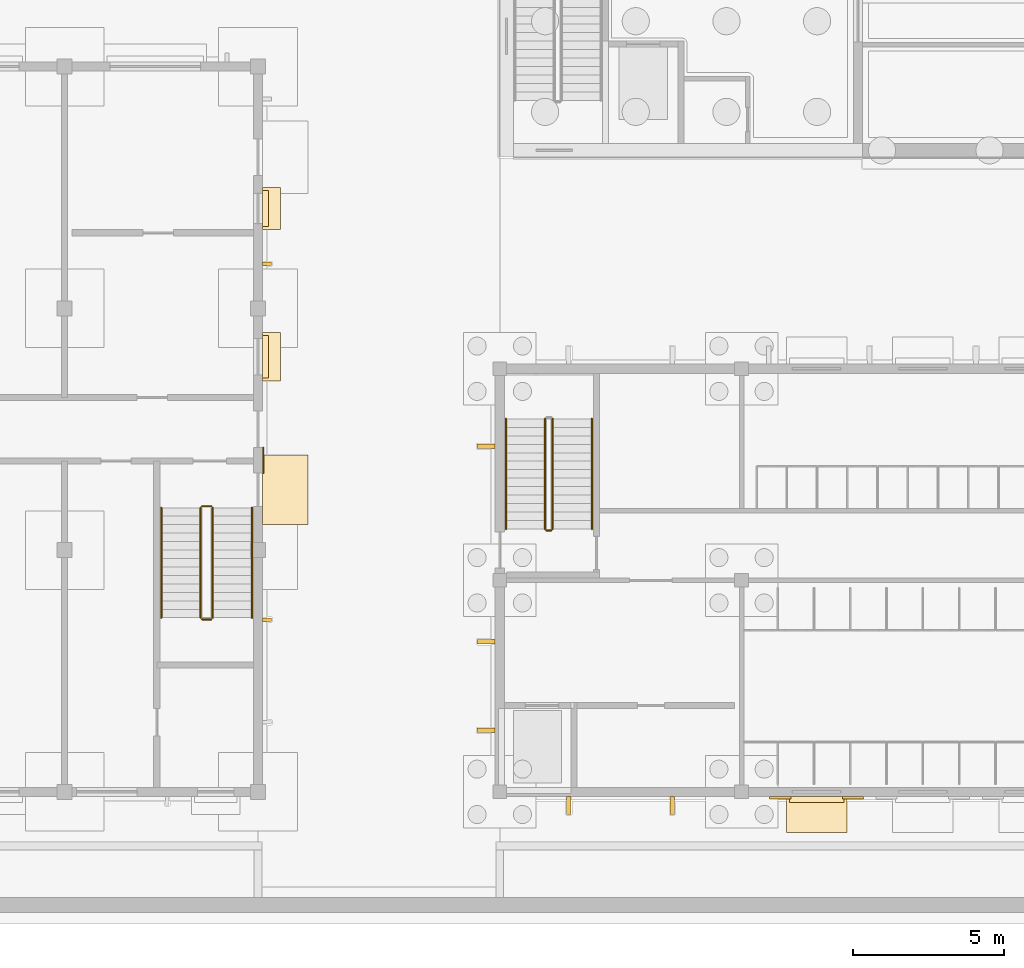
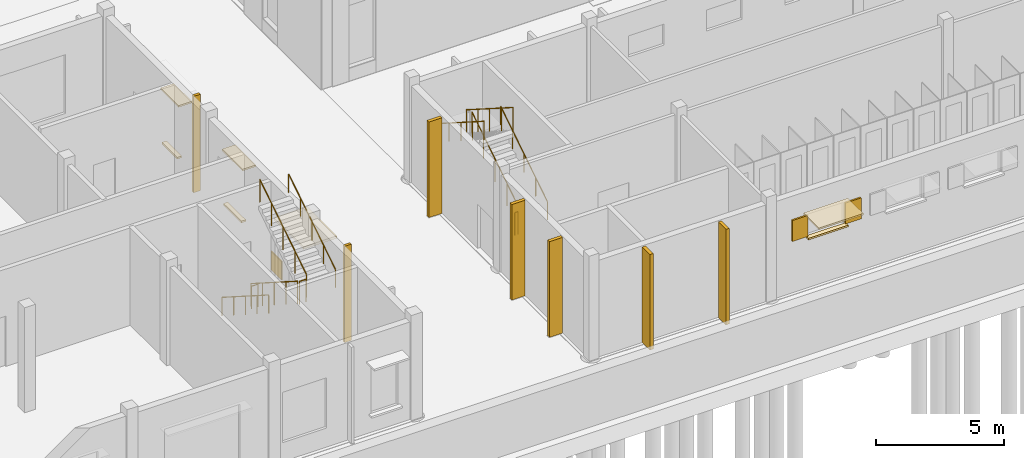
# One storey, part 123 of 157: 11 railings, 9 shading devices, 8 coverings.
"""IFC4 building model written with IfcOpenShell, lengths in metres."""

import ifcopenshell
import ifcopenshell.guid

model = None  # the IFC model being written
_history = None  # IfcOwnerHistory: only IFC2X3 demands one
_inside = {}  # id of a spatial element -> (the spatial element, [elements in it])
_under = {}  # id of a project, library or spatial element -> (it, [spatial elements below it])
_declared = {}  # id of a project -> (the project, [libraries it declares])
_typed = {}  # id of a type object -> (the type object, [elements of that type])
_made_of = {}  # id of a material, layer set ... -> (it, [elements and type objects made of it])


def new_model(schema):
    """Start an empty IFC model of exactly this schema.

    Asked for "IFC4X3", IfcOpenShell would pick the latest addendum, in which some entities
    have other attributes; the version numbers below select the first issue.
    IFC2X3 requires an IfcOwnerHistory on every rooted entity: one is made here for all.
    """
    global model, _history
    if schema == "IFC4X3":
        model = ifcopenshell.file(schema_version=(4, 3, 0, 0))
    else:
        model = ifcopenshell.file(schema=schema)
    _inside.clear()
    _under.clear()
    _declared.clear()
    _typed.clear()
    _made_of.clear()
    _history = None
    if model.schema == "IFC2X3":
        org = make("IfcOrganization", Name="unknown")
        user = make(
            "IfcPersonAndOrganization",
            ThePerson=make("IfcPerson", FamilyName="unknown"),
            TheOrganization=org,
        )
        app = make(
            "IfcApplication",
            ApplicationDeveloper=org,
            Version="unknown",
            ApplicationFullName="unknown",
            ApplicationIdentifier="unknown",
        )
        _history = make(
            "IfcOwnerHistory",
            OwningUser=user,
            OwningApplication=app,
            ChangeAction="ADDED",
            CreationDate=0,
        )
    return model


def make(cls, **values):
    """One entity of the class cls with the attributes given. An attribute that is None is left unset."""
    return model.create_entity(
        cls, **{name: value for name, value in values.items() if value is not None}
    )


def rooted(cls, **values):
    """An entity with a GlobalId (a new one), such as an element, a storey or a relation."""
    return make(cls, GlobalId=ifcopenshell.guid.new(), OwnerHistory=_history, **values)


def si_unit(unit_type, name, prefix=None):
    """IfcSIUnit, for example si_unit("LENGTHUNIT", "METRE", prefix="MILLI")."""
    return make("IfcSIUnit", UnitType=unit_type, Prefix=prefix, Name=name)


def assignment(units):
    """IfcUnitAssignment: the units of a project."""
    return None if units is None else make("IfcUnitAssignment", Units=units)


def point(xyz):
    """IfcCartesianPoint."""
    return None if xyz is None else make("IfcCartesianPoint", Coordinates=xyz)


def direction(xyz):
    """IfcDirection."""
    return None if xyz is None else make("IfcDirection", DirectionRatios=xyz)


def frame(location, z_axis=None, x_axis=None):
    """IfcAxis2Placement3D, a coordinate frame: its origin and axes. An axis left out is left unset."""
    return make(
        "IfcAxis2Placement3D",
        Location=point(location),
        Axis=direction(z_axis),
        RefDirection=direction(x_axis),
    )


def frame_2d(location, x_axis=None):
    """IfcAxis2Placement2D, a coordinate frame in the plane: its origin and x axis."""
    return make(
        "IfcAxis2Placement2D", Location=point(location), RefDirection=direction(x_axis)
    )


def origin():
    """The frame at (0, 0, 0) with its axes left unset."""
    return frame((0.0, 0.0, 0.0))


def origin_2d():
    """The frame at (0, 0) in the plane with its x axis left unset."""
    return frame_2d((0.0, 0.0))


def place(relative_to, where):
    """IfcLocalPlacement: puts the frame where relative to a parent placement (None: the world)."""
    return make(
        "IfcLocalPlacement", PlacementRelTo=relative_to, RelativePlacement=where
    )


def context(
    kind, dimensions, precision=None, world=None, true_north=None, identifier=None
):
    """IfcGeometricRepresentationContext, for example the 3D "Model" context."""
    return make(
        "IfcGeometricRepresentationContext",
        ContextIdentifier=identifier,
        ContextType=kind,
        CoordinateSpaceDimension=dimensions,
        Precision=precision,
        WorldCoordinateSystem=world,
        TrueNorth=true_north,
    )


def subcontext(parent, identifier, kind, view, scale=None):
    """IfcGeometricRepresentationSubContext, for example "Body" below "Model"."""
    return make(
        "IfcGeometricRepresentationSubContext",
        ContextIdentifier=identifier,
        ContextType=kind,
        ParentContext=parent,
        TargetScale=scale,
        TargetView=view,
    )


def project(units=None, contexts=None):
    """IfcProject with its units and contexts."""
    return rooted(
        "IfcProject",
        Name="project",
        RepresentationContexts=contexts,
        UnitsInContext=assignment(units),
    )


def spatial(cls, under=None, at=None, **own):
    """A site, building, storey or space (cls), placed at a placement, below another one or the project."""
    s = rooted(cls, ObjectPlacement=at, **own)
    if under is not None:
        _under.setdefault(under.id(), (under, []))[1].append(s)
    return s


def polyline(points):
    """IfcPolyline through the points."""
    return make("IfcPolyline", Points=[point(p) for p in points])


def profile(cls, at=None, kind="AREA", **sizes):
    """A parametric profile (cls). Its sizes go by their IFC names, for example OverallWidth=200.0."""
    return make(cls, ProfileType=kind, Position=at, **sizes)


def circle(**sizes):
    """IfcCircleProfileDef."""
    return profile("IfcCircleProfileDef", **sizes)


def outline(outer, holes=None, kind="AREA"):
    """IfcArbitraryClosedProfileDef: a profile drawn as a closed curve; with holes, ...WithVoids."""
    if holes is None:
        return make("IfcArbitraryClosedProfileDef", ProfileType=kind, OuterCurve=outer)
    return make(
        "IfcArbitraryProfileDefWithVoids",
        ProfileType=kind,
        OuterCurve=outer,
        InnerCurves=holes,
    )


def extrude(swept, where, along, depth):
    """IfcExtrudedAreaSolid: the profile swept, set in the frame where, extruded along a direction by depth."""
    return make(
        "IfcExtrudedAreaSolid",
        SweptArea=swept,
        Position=where,
        ExtrudedDirection=direction(along),
        Depth=depth,
    )


def shape(context_of_items, identifier, shape_type, items):
    """IfcShapeRepresentation: the items that make up one representation, for example the "Body"."""
    return make(
        "IfcShapeRepresentation",
        ContextOfItems=context_of_items,
        RepresentationIdentifier=identifier,
        RepresentationType=shape_type,
        Items=items,
    )


def material(Name=None, Category=None):
    """IfcMaterial."""
    return make("IfcMaterial", Name=Name, Category=Category)


def layer(
    of_material, thickness, ventilated=None, Name=None, Category=None, Priority=None
):
    """IfcMaterialLayer: one layer of a wall or slab, of a material (None: an air gap)."""
    return make(
        "IfcMaterialLayer",
        Material=of_material,
        LayerThickness=thickness,
        IsVentilated=ventilated,
        Name=Name,
        Category=Category,
        Priority=Priority,
    )


def layer_set(layers, Name=None):
    """IfcMaterialLayerSet."""
    return make("IfcMaterialLayerSet", MaterialLayers=layers, LayerSetName=Name)


def made_of(thing, what):
    """Note that an element or type object is made of a material, layer set ...; save() writes the relation."""
    if what is not None:
        _made_of.setdefault(what.id(), (what, []))[1].append(thing)
    return thing


def type_object(cls, material=None, **own):
    """A type object (cls), such as IfcWallType, which elements share."""
    return made_of(rooted(cls, **own), material)


def element(
    cls,
    number,
    at=None,
    inside=None,
    cuts=None,
    type_object=None,
    material=None,
    context=None,
    identifier="Body",
    shape_type=None,
    held_by="IfcProductDefinitionShape",
    body=None,
    shapes=None,
    **own,
):
    """One element of the class cls, such as IfcWall. Its Tag is "e" and its number.

    at: its placement. inside: the storey or other place that contains it. cuts: it is an
    opening in that element (IfcRelVoidsElement). A single representation is given by context,
    identifier, shape_type and body (its items); several are given by shapes. held_by: the class
    of the entity that holds the representations. save() writes the other relations.
    """
    e = rooted(cls, Tag="e%d" % number, ObjectPlacement=at, **own)
    if body is not None:
        shapes = [shape(context, identifier, shape_type, body)]
    if shapes is not None:
        e.Representation = make(held_by, Representations=shapes)
    if inside is not None:
        _inside.setdefault(inside.id(), (inside, []))[1].append(e)
    if cuts is not None:
        rooted(
            "IfcRelVoidsElement", RelatingBuildingElement=cuts, RelatedOpeningElement=e
        )
    if type_object is not None:
        _typed.setdefault(type_object.id(), (type_object, []))[1].append(e)
    return made_of(e, material)


def aggregate(whole, parts):
    """IfcRelAggregates: a whole, such as a stair, and the parts it consists of."""
    return rooted("IfcRelAggregates", RelatingObject=whole, RelatedObjects=parts)


def save(model, path):
    """Write the relations noted so far, then the file.

    IfcRelAggregates (storeys below a building ...), IfcRelContainedInSpatialStructure (elements
    in a storey), IfcRelDefinesByType, IfcRelAssociatesMaterial and IfcRelDeclares: one each for
    every whole, place, type object, material and project.
    """
    for whole, parts in _under.values():
        aggregate(whole, parts)
    for where, things in _inside.values():
        rooted(
            "IfcRelContainedInSpatialStructure",
            RelatedElements=things,
            RelatingStructure=where,
        )
    for kind, things in _typed.values():
        rooted("IfcRelDefinesByType", RelatedObjects=things, RelatingType=kind)
    for what, things in _made_of.values():
        rooted("IfcRelAssociatesMaterial", RelatedObjects=things, RelatingMaterial=what)
    for by, libraries in _declared.values():
        rooted("IfcRelDeclares", RelatingContext=by, RelatedDefinitions=libraries)
    model.write(path)


model = new_model("IFC4")

# Units and contexts
model_context = context("Model", 3, precision=1e-05, world=origin(), true_north=direction((0.0, 1.0)))
body_context = subcontext(model_context, "Body", "Model", "MODEL_VIEW")
ifc_project = project(units=[si_unit("LENGTHUNIT", "METRE"), si_unit("AREAUNIT", "SQUARE_METRE"), si_unit("VOLUMEUNIT", "CUBIC_METRE"), si_unit("PLANEANGLEUNIT", "RADIAN"), si_unit("MASSUNIT", "GRAM", prefix="KILO")], contexts=[model_context])

# Site, building, storey
site_placement = place(None, origin())
site = spatial("IfcSite", under=ifc_project, at=site_placement, CompositionType="ELEMENT")
building_placement = place(site_placement, origin())
building = spatial("IfcBuilding", under=site, at=building_placement, Name="Windward Yard Aquatics Centre", CompositionType="ELEMENT")
storey_placement = place(building_placement, origin())
storey = spatial("IfcBuildingStorey", under=building, at=storey_placement, Name="L00", CompositionType="ELEMENT", Elevation=0.0)

# Railings
ifc_material_1 = material(Name="Stainless steel 1.4401", Category="steel")
railing_type_1 = type_object("IfcRailingType", Name="C Village stair 1 stair guard", PredefinedType="GUARDRAIL", material=ifc_material_1)
railing_1_placement = place(storey_placement, frame((53.75, 13.699951171875, 0.178466796875)))
element("IfcRailing", 1, at=railing_1_placement, inside=storey, type_object=railing_type_1, Name="L00 C-ST1 stair guard 1", PredefinedType="GUARDRAIL", context=body_context, shape_type="SweptSolid", body=[
    extrude(circle(Radius=0.02392578125, at=origin_2d()), frame((0.0, 0.0, 1.076171875), z_axis=(0.0, 0.843127859045, 0.537713132908), x_axis=(-1.0, 0.0, 0.0)), (0.0, 0.0, 1.0), 4.3173828125),
    extrude(circle(Radius=0.02099609375, at=origin_2d()), origin(), (0.0, 0.0, 1.0), 1.052001953125),
    extrude(circle(Radius=0.02099609375, at=origin_2d()), frame((0.0, 0.91015625, 0.580322265625)), (0.0, 0.0, 1.0), 1.052001953125),
    extrude(circle(Radius=0.02099609375, at=origin_2d()), frame((0.0, 1.820068359375, 1.16064453125)), (0.0, 0.0, 1.0), 1.052001953125),
    extrude(circle(Radius=0.02099609375, at=origin_2d()), frame((0.0, 2.72998046875, 1.7412109375)), (0.0, 0.0, 1.0), 1.052001953125),
    extrude(circle(Radius=0.02099609375, at=origin_2d()), frame((0.0, 3.64013671875, 2.321533203125)), (0.0, 0.0, 1.0), 1.052001953125),
])
railing_2_placement = place(storey_placement, frame((53.5, 17.340087890625, 2.678466796875)))
element("IfcRailing", 2, at=railing_2_placement, inside=storey, type_object=railing_type_1, Name="L00 C-ST1 stair guard 3", PredefinedType="GUARDRAIL", context=body_context, shape_type="SweptSolid", body=[
    extrude(circle(Radius=0.02392578125, at=origin_2d()), frame((0.0, 0.0, 1.076171875), z_axis=(0.0, -0.843127859045, 0.537713132908), x_axis=(1.0, 0.0, 0.0)), (0.0, 0.0, 1.0), 4.3173828125),
    extrude(circle(Radius=0.02099609375, at=origin_2d()), origin(), (0.0, 0.0, 1.0), 1.052001953125),
    extrude(circle(Radius=0.02099609375, at=origin_2d()), frame((0.0, -0.91015625, 0.580322265625)), (0.0, 0.0, 1.0), 1.052001953125),
    extrude(circle(Radius=0.02099609375, at=origin_2d()), frame((0.0, -1.820068359375, 1.16064453125)), (0.0, 0.0, 1.0), 1.052001953125),
    extrude(circle(Radius=0.02099609375, at=origin_2d()), frame((0.0, -2.72998046875, 1.7412109375)), (0.0, 0.0, 1.0), 1.052001953125),
    extrude(circle(Radius=0.02099609375, at=origin_2d()), frame((0.0, -3.64013671875, 2.321533203125)), (0.0, 0.0, 1.0), 1.052001953125),
])
railing_3_placement = place(storey_placement, frame((53.699951171875, 13.64990234375, 0.0)))
element("IfcRailing", 3, at=railing_3_placement, inside=storey, type_object=railing_type_1, Name="L00 C-ST1 stair guard 4", PredefinedType="GUARDRAIL", context=body_context, shape_type="SweptSolid", body=[
    extrude(circle(Radius=0.02392578125, at=origin_2d()), frame((0.0, 0.0, 1.076171875), z_axis=(-1.0, 0.0, 0.0), x_axis=(0.0, -1.0, 0.0)), (0.0, 0.0, 1.0), 0.14990234375),
    extrude(circle(Radius=0.02099609375, at=origin_2d()), origin(), (0.0, 0.0, 1.0), 1.052001953125),
    extrude(circle(Radius=0.02099609375, at=origin_2d()), frame((-0.14990234375, 0.0, 0.0)), (0.0, 0.0, 1.0), 1.052001953125),
])
railing_type_2 = type_object("IfcRailingType", Name="C Village stair 1 stair handrail", PredefinedType="HANDRAIL", material=ifc_material_1)
railing_4_placement = place(storey_placement, frame((55.050048828125, 13.699951171875, 0.178466796875)))
element("IfcRailing", 4, at=railing_4_placement, inside=storey, type_object=railing_type_2, Name="L00 C-ST1 stair handrail 1", PredefinedType="HANDRAIL", context=body_context, shape_type="SweptSolid", body=[
    extrude(circle(Radius=0.02392578125, at=origin_2d()), frame((0.0, 0.0, 0.8759765625), z_axis=(0.0, 0.843127859045, 0.537713132908), x_axis=(-1.0, 0.0, 0.0)), (0.0, 0.0, 1.0), 4.3173828125),
    extrude(circle(Radius=0.02099609375, at=origin_2d()), origin(), (0.0, 0.0, 1.0), 0.851806640625),
    extrude(circle(Radius=0.02099609375, at=origin_2d()), frame((0.0, 0.91015625, 0.580322265625)), (0.0, 0.0, 1.0), 0.851806640625),
    extrude(circle(Radius=0.02099609375, at=origin_2d()), frame((0.0, 1.820068359375, 1.16064453125)), (0.0, 0.0, 1.0), 0.851806640625),
    extrude(circle(Radius=0.02099609375, at=origin_2d()), frame((0.0, 2.72998046875, 1.7412109375)), (0.0, 0.0, 1.0), 0.851806640625),
    extrude(circle(Radius=0.02099609375, at=origin_2d()), frame((0.0, 3.64013671875, 2.321533203125)), (0.0, 0.0, 1.0), 0.851806640625),
])
railing_5_placement = place(storey_placement, frame((52.199951171875, 17.340087890625, 2.678466796875)))
element("IfcRailing", 5, at=railing_5_placement, inside=storey, type_object=railing_type_2, Name="L00 C-ST1 stair handrail 2", PredefinedType="HANDRAIL", context=body_context, shape_type="SweptSolid", body=[
    extrude(circle(Radius=0.02392578125, at=origin_2d()), frame((0.0, 0.0, 0.8759765625), z_axis=(0.0, -0.843127859045, 0.537713132908), x_axis=(1.0, 0.0, 0.0)), (0.0, 0.0, 1.0), 4.3173828125),
    extrude(circle(Radius=0.02099609375, at=origin_2d()), origin(), (0.0, 0.0, 1.0), 0.851806640625),
    extrude(circle(Radius=0.02099609375, at=origin_2d()), frame((0.0, -0.91015625, 0.580322265625)), (0.0, 0.0, 1.0), 0.851806640625),
    extrude(circle(Radius=0.02099609375, at=origin_2d()), frame((0.0, -1.820068359375, 1.16064453125)), (0.0, 0.0, 1.0), 0.851806640625),
    extrude(circle(Radius=0.02099609375, at=origin_2d()), frame((0.0, -2.72998046875, 1.7412109375)), (0.0, 0.0, 1.0), 0.851806640625),
    extrude(circle(Radius=0.02099609375, at=origin_2d()), frame((0.0, -3.64013671875, 2.321533203125)), (0.0, 0.0, 1.0), 0.851806640625),
])

# Shading devices
ifc_material_2 = material(Name="Aluminium louvre blades, powder coated", Category="aluminium")
ifc_layer_1 = layer(ifc_material_2, 0.080078125)
ifc_layer_set_1 = layer_set([ifc_layer_1], Name="C storm shutter louvred 700x1000")
shading_device_type_1 = type_object("IfcShadingDeviceType", Name="C storm shutter louvred 700x1000", PredefinedType="SHUTTER", material=ifc_layer_set_1)
shading_device_1_placement = place(storey_placement, frame((0.0, 0.0, 2.5)))
element("IfcShadingDevice", 6, at=shading_device_1_placement, inside=storey, type_object=shading_device_type_1, Name="Storm shutter CW0001L", PredefinedType="SHUTTER", context=body_context, shape_type="SweptSolid", body=[
    extrude(outline(polyline([(60.933349609375, 4.77001953125), (60.933349609375, 4.85009765625), (61.63330078125, 4.85009765625), (61.63330078125, 4.77001953125), (60.933349609375, 4.77001953125)])), origin(), (0.0, 0.0, 1.0), 1.0),
])
shading_device_2_placement = place(storey_placement, frame((0.0, 0.0, 2.5)))
element("IfcShadingDevice", 7, at=shading_device_2_placement, inside=storey, type_object=shading_device_type_1, Name="Storm shutter CW0001R", PredefinedType="SHUTTER", context=body_context, shape_type="SweptSolid", body=[
    extrude(outline(polyline([(63.333251953125, 4.77001953125), (63.333251953125, 4.85009765625), (64.033203125, 4.85009765625), (64.033203125, 4.77001953125), (63.333251953125, 4.77001953125)])), origin(), (0.0, 0.0, 1.0), 1.0),
])
ifc_material_3 = material(Name="Aluminium fin, powder coated", Category="aluminium")
shading_device_type_2 = type_object("IfcShadingDeviceType", Name="C vertical fin 150x600", PredefinedType="USERDEFINED", material=ifc_material_3)
shading_device_3_placement = place(storey_placement, origin())
element("IfcShadingDevice", 8, at=shading_device_3_placement, inside=storey, type_object=shading_device_type_2, Name="Vertical fin C.W.L00.S1.1.1", ObjectType="FIN", PredefinedType="USERDEFINED", context=body_context, shape_type="SweptSolid", body=[
    extrude(outline(polyline([(54.21240234375, 4.25), (54.21240234375, 4.85009765625), (54.362548828125, 4.85009765625), (54.362548828125, 4.25), (54.21240234375, 4.25)])), origin(), (0.0, 0.0, 1.0), 4.550048828125),
])
shading_device_4_placement = place(storey_placement, origin())
element("IfcShadingDevice", 9, at=shading_device_4_placement, inside=storey, type_object=shading_device_type_2, Name="Vertical fin C.W.L00.S1.1.2", ObjectType="FIN", PredefinedType="USERDEFINED", context=body_context, shape_type="SweptSolid", body=[
    extrude(outline(polyline([(57.637451171875, 4.25), (57.637451171875, 4.85009765625), (57.78759765625, 4.85009765625), (57.78759765625, 4.25), (57.637451171875, 4.25)])), origin(), (0.0, 0.0, 1.0), 4.550048828125),
])
shading_device_5_placement = place(storey_placement, origin())
element("IfcShadingDevice", 10, at=shading_device_5_placement, inside=storey, type_object=shading_device_type_2, Name="Vertical fin C.W.L00.W1.1.1", ObjectType="FIN", PredefinedType="USERDEFINED", context=body_context, shape_type="SweptSolid", body=[
    extrude(outline(polyline([(51.25, 6.96240234375), (51.85009765625, 6.96240234375), (51.85009765625, 7.112548828125), (51.25, 7.112548828125), (51.25, 6.96240234375)])), origin(), (0.0, 0.0, 1.0), 4.550048828125),
])
shading_device_6_placement = place(storey_placement, origin())
element("IfcShadingDevice", 11, at=shading_device_6_placement, inside=storey, type_object=shading_device_type_2, Name="Vertical fin C.W.L00.W1.1.2", ObjectType="FIN", PredefinedType="USERDEFINED", context=body_context, shape_type="SweptSolid", body=[
    extrude(outline(polyline([(51.25, 9.887451171875), (51.85009765625, 9.887451171875), (51.85009765625, 10.03759765625), (51.25, 10.03759765625), (51.25, 9.887451171875)])), origin(), (0.0, 0.0, 1.0), 4.550048828125),
])
shading_device_7_placement = place(storey_placement, origin())
element("IfcShadingDevice", 12, at=shading_device_7_placement, inside=storey, type_object=shading_device_type_2, Name="Vertical fin C.W.L00.W2.1.1", ObjectType="FIN", PredefinedType="USERDEFINED", context=body_context, shape_type="SweptSolid", body=[
    extrude(outline(polyline([(51.25, 16.362548828125), (51.85009765625, 16.362548828125), (51.85009765625, 16.512451171875), (51.25, 16.512451171875), (51.25, 16.362548828125)])), origin(), (0.0, 0.0, 1.0), 4.550048828125),
])

# Coverings
ifc_material_4 = material(Name="Aluminium composite hood, powder coated", Category="aluminium")
ifc_layer_2 = layer(ifc_material_4, 0.080078125)
ifc_layer_set_2 = layer_set([ifc_layer_2], Name="C window hood aluminium 2000x1200")
covering_type_1 = type_object("IfcCoveringType", Name="C window hood aluminium 2000x1200", PredefinedType="CLADDING", material=ifc_layer_set_2)
covering_1_placement = place(storey_placement, frame((0.0, 0.0, 3.550048828125)))
element("IfcCovering", 13, at=covering_1_placement, inside=storey, type_object=covering_type_1, Name="Window hood CW0001", PredefinedType="CLADDING", context=body_context, shape_type="SweptSolid", body=[
    extrude(outline(polyline([(61.4833984375, 3.64990234375), (61.4833984375, 4.85009765625), (63.4833984375, 4.85009765625), (63.4833984375, 3.64990234375), (61.4833984375, 3.64990234375)])), origin(), (0.0, 0.0, 1.0), 0.079833984375),
])
ifc_material_5 = material(Name="Limestone sill", Category="masonry")
ifc_layer_3 = layer(ifc_material_5, 0.080078125)
ifc_layer_set_3 = layer_set([ifc_layer_3], Name="C window sill stone 1800x200")
covering_type_2 = type_object("IfcCoveringType", Name="C window sill stone 1800x200", PredefinedType="CLADDING", material=ifc_layer_set_3)
covering_2_placement = place(storey_placement, frame((0.0, 0.0, 2.419921875)))
element("IfcCovering", 14, at=covering_2_placement, inside=storey, type_object=covering_type_2, Name="Window sill CW0001", PredefinedType="CLADDING", context=body_context, shape_type="SweptSolid", body=[
    extrude(outline(polyline([(61.583251953125, 4.64990234375), (61.583251953125, 4.85009765625), (63.38330078125, 4.85009765625), (63.38330078125, 4.64990234375), (61.583251953125, 4.64990234375)])), origin(), (0.0, 0.0, 1.0), 0.080078125),
])

# Railings
railing_type_3 = type_object("IfcRailingType", Name="P Plant stair 2 stair guard", PredefinedType="GUARDRAIL", material=ifc_material_1)
railing_6_placement = place(storey_placement, frame((42.10009765625, 14.39990234375, 0.178466796875)))
element("IfcRailing", 15, at=railing_6_placement, inside=storey, type_object=railing_type_3, Name="L00 P-ST2 stair guard 1", PredefinedType="GUARDRAIL", context=body_context, shape_type="SweptSolid", body=[
    extrude(circle(Radius=0.02392578125, at=origin_2d()), frame((0.0, 0.0, 1.076171875), z_axis=(0.0, -0.843111507901, 0.53773877045), x_axis=(1.0, 0.0, 0.0)), (0.0, 0.0, 1.0), 4.317138671875),
    extrude(circle(Radius=0.02099609375, at=origin_2d()), origin(), (0.0, 0.0, 1.0), 1.052001953125),
    extrude(circle(Radius=0.02099609375, at=origin_2d()), frame((0.0, -0.909912109375, 0.580322265625)), (0.0, 0.0, 1.0), 1.052001953125),
    extrude(circle(Radius=0.02099609375, at=origin_2d()), frame((0.0, -1.81982421875, 1.16064453125)), (0.0, 0.0, 1.0), 1.052001953125),
    extrude(circle(Radius=0.02099609375, at=origin_2d()), frame((0.0, -2.72998046875, 1.7412109375)), (0.0, 0.0, 1.0), 1.052001953125),
    extrude(circle(Radius=0.02099609375, at=origin_2d()), frame((0.0, -3.639892578125, 2.321533203125)), (0.0, 0.0, 1.0), 1.052001953125),
])
railing_7_placement = place(storey_placement, frame((42.14990234375, 10.7099609375, 2.5)))
element("IfcRailing", 16, at=railing_7_placement, inside=storey, type_object=railing_type_3, Name="L00 P-ST2 stair guard 2", PredefinedType="GUARDRAIL", context=body_context, shape_type="SweptSolid", body=[
    extrude(circle(Radius=0.02392578125, at=origin_2d()), frame((0.0, 0.0, 1.076171875), z_axis=(1.0, 0.0, 0.0), x_axis=(0.0, 1.0, 0.0)), (0.0, 0.0, 1.0), 0.300048828125),
    extrude(circle(Radius=0.02099609375, at=origin_2d()), origin(), (0.0, 0.0, 1.0), 1.052001953125),
    extrude(circle(Radius=0.02099609375, at=origin_2d()), frame((0.300048828125, 0.0, 0.0)), (0.0, 0.0, 1.0), 1.052001953125),
])
railing_8_placement = place(storey_placement, frame((42.5, 10.760009765625, 2.678466796875)))
element("IfcRailing", 17, at=railing_8_placement, inside=storey, type_object=railing_type_3, Name="L00 P-ST2 stair guard 3", PredefinedType="GUARDRAIL", context=body_context, shape_type="SweptSolid", body=[
    extrude(circle(Radius=0.02392578125, at=origin_2d()), frame((0.0, 0.0, 1.076171875), z_axis=(0.0, 0.843111507901, 0.53773877045), x_axis=(-1.0, 0.0, 0.0)), (0.0, 0.0, 1.0), 4.317138671875),
    extrude(circle(Radius=0.02099609375, at=origin_2d()), origin(), (0.0, 0.0, 1.0), 1.052001953125),
    extrude(circle(Radius=0.02099609375, at=origin_2d()), frame((0.0, 0.909912109375, 0.580322265625)), (0.0, 0.0, 1.0), 1.052001953125),
    extrude(circle(Radius=0.02099609375, at=origin_2d()), frame((0.0, 1.81982421875, 1.16064453125)), (0.0, 0.0, 1.0), 1.052001953125),
    extrude(circle(Radius=0.02099609375, at=origin_2d()), frame((0.0, 2.72998046875, 1.7412109375)), (0.0, 0.0, 1.0), 1.052001953125),
    extrude(circle(Radius=0.02099609375, at=origin_2d()), frame((0.0, 3.639892578125, 2.321533203125)), (0.0, 0.0, 1.0), 1.052001953125),
])
railing_9_placement = place(storey_placement, frame((42.14990234375, 14.449951171875, 0.0)))
element("IfcRailing", 18, at=railing_9_placement, inside=storey, type_object=railing_type_3, Name="L00 P-ST2 stair guard 4", PredefinedType="GUARDRAIL", context=body_context, shape_type="SweptSolid", body=[
    extrude(circle(Radius=0.02392578125, at=origin_2d()), frame((0.0, 0.0, 1.076171875), z_axis=(1.0, 0.0, 0.0), x_axis=(0.0, 1.0, 0.0)), (0.0, 0.0, 1.0), 0.300048828125),
    extrude(circle(Radius=0.02099609375, at=origin_2d()), origin(), (0.0, 0.0, 1.0), 1.052001953125),
    extrude(circle(Radius=0.02099609375, at=origin_2d()), frame((0.300048828125, 0.0, 0.0)), (0.0, 0.0, 1.0), 1.052001953125),
])
railing_type_4 = type_object("IfcRailingType", Name="P Plant stair 2 stair handrail", PredefinedType="HANDRAIL", material=ifc_material_1)
railing_10_placement = place(storey_placement, frame((40.800048828125, 14.39990234375, 0.178466796875)))
element("IfcRailing", 19, at=railing_10_placement, inside=storey, type_object=railing_type_4, Name="L00 P-ST2 stair handrail 1", PredefinedType="HANDRAIL", context=body_context, shape_type="SweptSolid", body=[
    extrude(circle(Radius=0.02392578125, at=origin_2d()), frame((0.0, 0.0, 0.8759765625), z_axis=(0.0, -0.843111507901, 0.53773877045), x_axis=(1.0, 0.0, 0.0)), (0.0, 0.0, 1.0), 4.317138671875),
    extrude(circle(Radius=0.02099609375, at=origin_2d()), origin(), (0.0, 0.0, 1.0), 0.851806640625),
    extrude(circle(Radius=0.02099609375, at=origin_2d()), frame((0.0, -0.909912109375, 0.580322265625)), (0.0, 0.0, 1.0), 0.851806640625),
    extrude(circle(Radius=0.02099609375, at=origin_2d()), frame((0.0, -1.81982421875, 1.16064453125)), (0.0, 0.0, 1.0), 0.851806640625),
    extrude(circle(Radius=0.02099609375, at=origin_2d()), frame((0.0, -2.72998046875, 1.7412109375)), (0.0, 0.0, 1.0), 0.851806640625),
    extrude(circle(Radius=0.02099609375, at=origin_2d()), frame((0.0, -3.639892578125, 2.321533203125)), (0.0, 0.0, 1.0), 0.851806640625),
])
railing_11_placement = place(storey_placement, frame((43.800048828125, 10.760009765625, 2.678466796875)))
element("IfcRailing", 20, at=railing_11_placement, inside=storey, type_object=railing_type_4, Name="L00 P-ST2 stair handrail 2", PredefinedType="HANDRAIL", context=body_context, shape_type="SweptSolid", body=[
    extrude(circle(Radius=0.02392578125, at=origin_2d()), frame((0.0, 0.0, 0.8759765625), z_axis=(0.0, 0.843111507901, 0.53773877045), x_axis=(-1.0, 0.0, 0.0)), (0.0, 0.0, 1.0), 4.317138671875),
    extrude(circle(Radius=0.02099609375, at=origin_2d()), origin(), (0.0, 0.0, 1.0), 0.851806640625),
    extrude(circle(Radius=0.02099609375, at=origin_2d()), frame((0.0, 0.909912109375, 0.580322265625)), (0.0, 0.0, 1.0), 0.851806640625),
    extrude(circle(Radius=0.02099609375, at=origin_2d()), frame((0.0, 1.81982421875, 1.16064453125)), (0.0, 0.0, 1.0), 0.851806640625),
    extrude(circle(Radius=0.02099609375, at=origin_2d()), frame((0.0, 2.72998046875, 1.7412109375)), (0.0, 0.0, 1.0), 0.851806640625),
    extrude(circle(Radius=0.02099609375, at=origin_2d()), frame((0.0, 3.639892578125, 2.321533203125)), (0.0, 0.0, 1.0), 0.851806640625),
])

# Coverings
ifc_material_6 = material(Name="Aluminium standing seam canopy on steel brackets", Category="steel")
ifc_layer_4 = layer(ifc_material_6, 0.1201171875)
ifc_layer_set_4 = layer_set([ifc_layer_4], Name="P entrance canopy aluminium 2300x1500")
covering_type_3 = type_object("IfcCoveringType", Name="P entrance canopy aluminium 2300x1500", PredefinedType="CLADDING", material=ifc_layer_set_4)
covering_3_placement = place(storey_placement, frame((0.0, 0.0, 2.5)))
element("IfcCovering", 21, at=covering_3_placement, inside=storey, type_object=covering_type_3, Name="Entrance canopy P0004", PredefinedType="CLADDING", context=body_context, shape_type="SweptSolid", body=[
    extrude(outline(polyline([(44.14990234375, 13.85009765625), (44.14990234375, 16.14990234375), (45.64990234375, 16.14990234375), (45.64990234375, 13.85009765625), (44.14990234375, 13.85009765625)])), origin(), (0.0, 0.0, 1.0), 0.1201171875),
])
ifc_material_7 = material(Name="Limestone cladding on stainless steel brackets", Category="masonry")
ifc_layer_5 = layer(ifc_material_7, 0.0400390625)
ifc_layer_set_5 = layer_set([ifc_layer_5], Name="P stone plinth cladding 40")
covering_type_4 = type_object("IfcCoveringType", Name="P stone plinth cladding 40", PredefinedType="CLADDING", material=ifc_layer_set_5)
covering_4_placement = place(storey_placement, origin())
element("IfcCovering", 22, at=covering_4_placement, inside=storey, type_object=covering_type_4, Name="Plinth cladding panel 7", PredefinedType="CLADDING", context=body_context, shape_type="SweptSolid", body=[
    extrude(outline(polyline([(44.14990234375, 15.550048828125), (44.14990234375, 16.39990234375), (44.18994140625, 16.39990234375), (44.18994140625, 15.550048828125), (44.14990234375, 15.550048828125)])), origin(), (0.0, 0.0, 1.0), 0.8798828125),
])

# Shading devices
shading_device_type_3 = type_object("IfcShadingDeviceType", Name="P vertical fin 120x300", PredefinedType="USERDEFINED", material=ifc_material_3)
shading_device_8_placement = place(storey_placement, origin())
element("IfcShadingDevice", 23, at=shading_device_8_placement, inside=storey, type_object=shading_device_type_3, Name="Vertical fin P.W.L00.E1.1.2", ObjectType="FIN", PredefinedType="USERDEFINED", context=body_context, shape_type="SweptSolid", body=[
    extrude(outline(polyline([(44.14990234375, 10.639892578125), (44.14990234375, 10.760009765625), (44.449951171875, 10.760009765625), (44.449951171875, 10.639892578125), (44.14990234375, 10.639892578125)])), origin(), (0.0, 0.0, 1.0), 4.590087890625),
])
shading_device_9_placement = place(storey_placement, origin())
element("IfcShadingDevice", 24, at=shading_device_9_placement, inside=storey, type_object=shading_device_type_3, Name="Vertical fin P.W.L00.E3.1.1", ObjectType="FIN", PredefinedType="USERDEFINED", context=body_context, shape_type="SweptSolid", body=[
    extrude(outline(polyline([(44.14990234375, 22.4150390625), (44.14990234375, 22.534912109375), (44.449951171875, 22.534912109375), (44.449951171875, 22.4150390625), (44.14990234375, 22.4150390625)])), origin(), (0.0, 0.0, 1.0), 4.590087890625),
])

# Coverings
ifc_layer_6 = layer(ifc_material_4, 0.080078125)
ifc_layer_set_6 = layer_set([ifc_layer_6], Name="P window hood aluminium 1400x600")
covering_type_5 = type_object("IfcCoveringType", Name="P window hood aluminium 1400x600", PredefinedType="CLADDING", material=ifc_layer_set_6)
covering_5_placement = place(storey_placement, frame((0.0, 0.0, 3.35009765625)))
element("IfcCovering", 25, at=covering_5_placement, inside=storey, type_object=covering_type_5, Name="Window hood PW0010", PredefinedType="CLADDING", context=body_context, shape_type="SweptSolid", body=[
    extrude(outline(polyline([(44.14990234375, 23.60009765625), (44.14990234375, 25.0), (44.75, 25.0), (44.75, 23.60009765625), (44.14990234375, 23.60009765625)])), origin(), (0.0, 0.0, 1.0), 0.079833984375),
])
ifc_layer_7 = layer(ifc_material_4, 0.080078125)
ifc_layer_set_7 = layer_set([ifc_layer_7], Name="P window hood aluminium 1600x600")
covering_type_6 = type_object("IfcCoveringType", Name="P window hood aluminium 1600x600", PredefinedType="CLADDING", material=ifc_layer_set_7)
covering_6_placement = place(storey_placement, frame((0.0, 0.0, 3.35009765625)))
element("IfcCovering", 26, at=covering_6_placement, inside=storey, type_object=covering_type_6, Name="Window hood PW0009", PredefinedType="CLADDING", context=body_context, shape_type="SweptSolid", body=[
    extrude(outline(polyline([(44.14990234375, 18.60009765625), (44.14990234375, 20.199951171875), (44.75, 20.199951171875), (44.75, 18.60009765625), (44.14990234375, 18.60009765625)])), origin(), (0.0, 0.0, 1.0), 0.079833984375),
])
ifc_layer_8 = layer(ifc_material_5, 0.080078125)
ifc_layer_set_8 = layer_set([ifc_layer_8], Name="P window sill stone 1200x200")
covering_type_7 = type_object("IfcCoveringType", Name="P window sill stone 1200x200", PredefinedType="CLADDING", material=ifc_layer_set_8)
covering_7_placement = place(storey_placement, frame((0.0, 0.0, 0.820068359375)))
element("IfcCovering", 27, at=covering_7_placement, inside=storey, type_object=covering_type_7, Name="Window sill PW0010", PredefinedType="CLADDING", context=body_context, shape_type="SweptSolid", body=[
    extrude(outline(polyline([(44.14990234375, 23.699951171875), (44.14990234375, 24.89990234375), (44.35009765625, 24.89990234375), (44.35009765625, 23.699951171875), (44.14990234375, 23.699951171875)])), origin(), (0.0, 0.0, 1.0), 0.079833984375),
])
ifc_layer_9 = layer(ifc_material_5, 0.080078125)
ifc_layer_set_9 = layer_set([ifc_layer_9], Name="P window sill stone 1400x200")
covering_type_8 = type_object("IfcCoveringType", Name="P window sill stone 1400x200", PredefinedType="CLADDING", material=ifc_layer_set_9)
covering_8_placement = place(storey_placement, frame((0.0, 0.0, 0.820068359375)))
element("IfcCovering", 28, at=covering_8_placement, inside=storey, type_object=covering_type_8, Name="Window sill PW0009", PredefinedType="CLADDING", context=body_context, shape_type="SweptSolid", body=[
    extrude(outline(polyline([(44.14990234375, 18.699951171875), (44.14990234375, 20.10009765625), (44.35009765625, 20.10009765625), (44.35009765625, 18.699951171875), (44.14990234375, 18.699951171875)])), origin(), (0.0, 0.0, 1.0), 0.079833984375),
])

save(model, "model.ifc")
